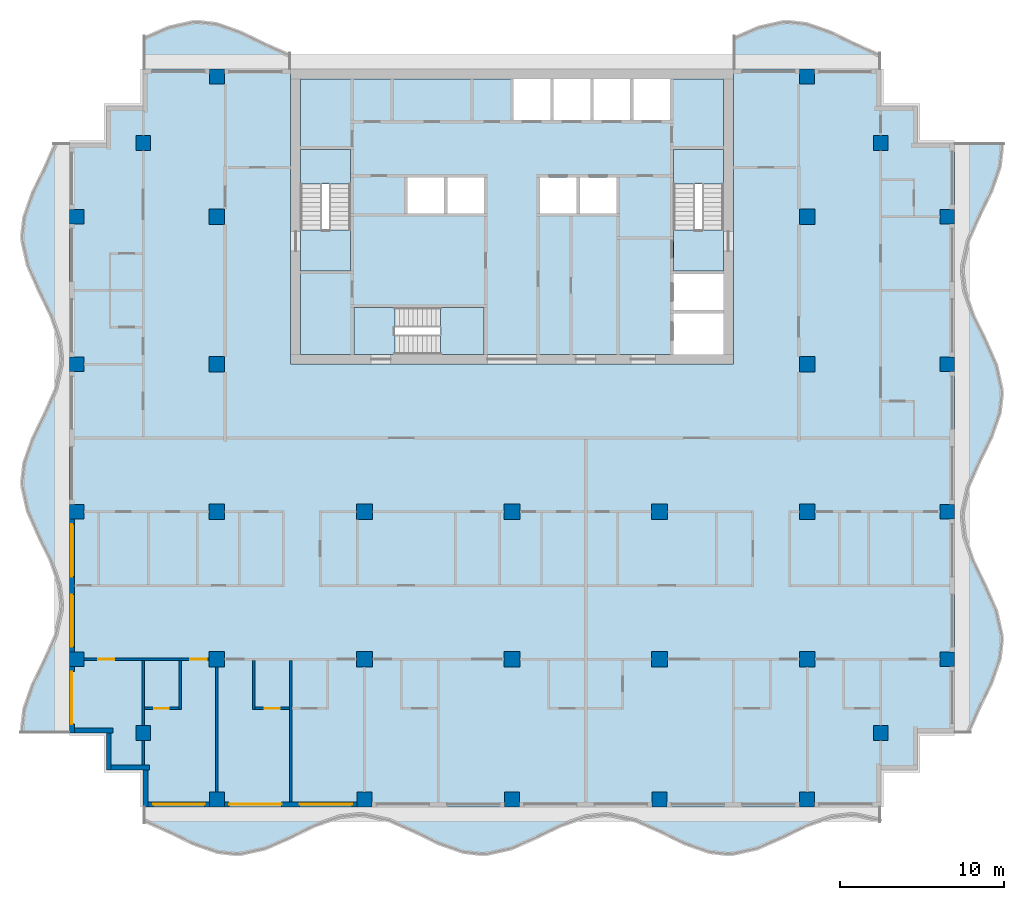
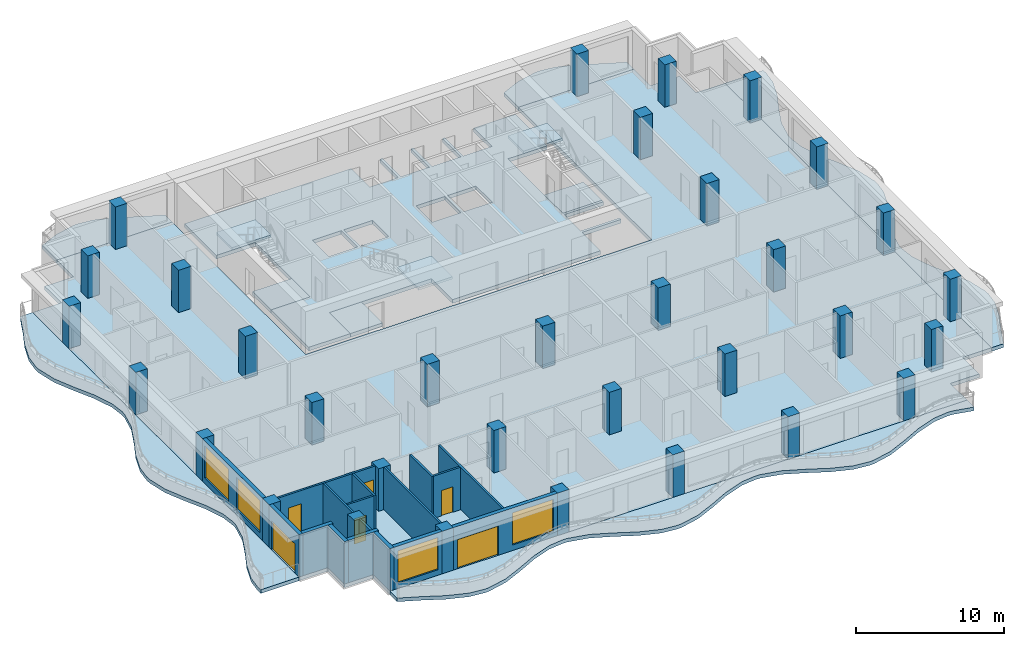
# One storey, part 1 of 11: 33 columns, 17 walls, 13 slabs, 6 doors, 4 windows, 10 openings, 3 elements without a shape of their own.
"""IFC4 building model written with IfcOpenShell, lengths in metres."""

from ifc_helpers import new_model, si_unit, direction, frame, frame_2d, origin, origin_2d, place, context, subcontext, project, spatial, polyline, rectangle, outline, extrude, material, layer, layer_set, material_profile, profile_set, type_object, element, fill, aggregate, save


model = new_model("IFC4")

# Units and contexts
model_context = context("Model", 3, precision=1e-05, world=origin(), true_north=direction((0.0, 1.0)))
body_context = subcontext(model_context, "Body", "Model", "MODEL_VIEW")
ifc_project = project(units=[si_unit("LENGTHUNIT", "METRE"), si_unit("AREAUNIT", "SQUARE_METRE"), si_unit("VOLUMEUNIT", "CUBIC_METRE"), si_unit("PLANEANGLEUNIT", "RADIAN"), si_unit("MASSUNIT", "GRAM", prefix="KILO")], contexts=[model_context])

# Site, building, storey
site_placement = place(None, origin())
site = spatial("IfcSite", under=ifc_project, at=site_placement, CompositionType="ELEMENT")
building_placement = place(site_placement, origin())
building = spatial("IfcBuilding", under=site, at=building_placement, Name="Orbiselva Terraces", CompositionType="ELEMENT")
storey_placement = place(building_placement, frame((0.0, 0.0, 269.2)))
storey = spatial("IfcBuildingStorey", under=building, at=storey_placement, Name="L68", CompositionType="ELEMENT", Elevation=269.2)

# Columns
ifc_material_1 = material(Name="Concrete C50/60", Category="concrete")
ifc_material_profile_1 = material_profile(ifc_material_1, rectangle(XDim=0.95, YDim=0.95, at=origin_2d()), Name="RC 950x950")
ifc_profile_set_1 = profile_set([ifc_material_profile_1], Name="Concrete C50/60")
column_type_1 = type_object("IfcColumnType", Name="COLUMN RC 950x950", PredefinedType="COLUMN", material=ifc_profile_set_1)
for number, where, z_axis, x_axis, name in (
    (1, (-18.0, -13.5, 0.0), (0.0, 0.0, 1.0), (1.0, 0.0, 0.0), "Column L68-01"),
    (2, (-18.0, -4.5, 0.0), (0.0, 0.0, 1.0), (1.0, 0.0, 0.0), "Column L68-03"),
    (3, (-18.0, 13.5, 0.0), (0.0, 0.0, 1.0), (1.0, 0.0, 0.0), "Column L68-04"),
    (4, (-18.0, 4.5, 0.0), (0.0, 0.0, 1.0), (1.0, 0.0, 0.0), "Column L68-06"),
    (5, (-9.0, -13.5, 0.0), (0.0, 0.0, 1.0), (1.0, 0.0, 0.0), "Column L68-13"),
    (6, (-9.0, -4.5, 0.0), (0.0, 0.0, 1.0), (1.0, 0.0, 0.0), "Column L68-15"),
    (7, (0.0, -13.5, 0.0), (0.0, 0.0, 1.0), (1.0, 0.0, 0.0), "Column L68-16"),
    (8, (0.0, -4.5, 0.0), (0.0, 0.0, 1.0), (1.0, 0.0, 0.0), "Column L68-18"),
    (9, (18.0, -13.5, 0.0), (0.0, 0.0, 1.0), (1.0, 0.0, 0.0), "Column L68-19"),
    (10, (18.0, -4.5, 0.0), (0.0, 0.0, 1.0), (1.0, 0.0, 0.0), "Column L68-21"),
    (11, (18.0, 13.5, 0.0), (0.0, 0.0, 1.0), (1.0, 0.0, 0.0), "Column L68-22"),
    (12, (18.0, 4.5, 0.0), (0.0, 0.0, 1.0), (1.0, 0.0, 0.0), "Column L68-24"),
    (13, (9.0, -13.5, 0.0), (0.0, 0.0, 1.0), (1.0, 0.0, 0.0), "Column L68-31"),
    (14, (9.0, -4.5, 0.0), (0.0, 0.0, 1.0), (1.0, 0.0, 0.0), "Column L68-33"),
):
    element("IfcColumn", number, at=place(storey_placement, frame(where, z_axis=z_axis, x_axis=x_axis)), inside=storey, type_object=column_type_1, Name=name, PredefinedType="COLUMN", context=body_context, shape_type="SweptSolid", body=[
        extrude(rectangle(XDim=0.95, YDim=0.95, at=origin_2d()), origin(), (0.0, 0.0, 1.0), 3.5),
    ])
ifc_material_profile_2 = material_profile(ifc_material_1, rectangle(XDim=0.9, YDim=0.9, at=origin_2d()), Name="RC 900x900")
ifc_profile_set_2 = profile_set([ifc_material_profile_2], Name="Concrete C50/60")
column_type_2 = type_object("IfcColumnType", Name="PERIMETER COLUMN RC 900x900", PredefinedType="COLUMN", material=ifc_profile_set_2)
for number, where, z_axis, x_axis, name in (
    (15, (-18.0, -22.05, 0.0), (0.0, 0.0, 1.0), (1.0, 0.0, 0.0), "Column L68-02"),
    (16, (-18.0, 22.05, 0.0), (0.0, 0.0, 1.0), (1.0, 0.0, 0.0), "Column L68-05"),
    (17, (-26.55, -13.5, 0.0), (0.0, 0.0, 1.0), (1.0, 0.0, 0.0), "Column L68-07"),
    (18, (-22.5, -18.0, 0.0), (0.0, 0.0, 1.0), (1.0, 0.0, 0.0), "Column L68-08"),
    (19, (-26.55, -4.5, 0.0), (0.0, 0.0, 1.0), (1.0, 0.0, 0.0), "Column L68-09"),
    (20, (-26.55, 13.5, 0.0), (0.0, 0.0, 1.0), (1.0, 0.0, 0.0), "Column L68-10"),
    (21, (-22.5, 18.0, 0.0), (0.0, 0.0, 1.0), (1.0, 0.0, 0.0), "Column L68-11"),
    (22, (-26.55, 4.5, 0.0), (0.0, 0.0, 1.0), (1.0, 0.0, 0.0), "Column L68-12"),
    (23, (-9.0, -22.05, 0.0), (0.0, 0.0, 1.0), (1.0, 0.0, 0.0), "Column L68-14"),
    (24, (0.0, -22.05, 0.0), (0.0, 0.0, 1.0), (1.0, 0.0, 0.0), "Column L68-17"),
    (25, (18.0, -22.05, 0.0), (0.0, 0.0, 1.0), (1.0, 0.0, 0.0), "Column L68-20"),
    (26, (18.0, 22.05, 0.0), (0.0, 0.0, 1.0), (1.0, 0.0, 0.0), "Column L68-23"),
    (27, (26.55, -13.5, 0.0), (0.0, 0.0, 1.0), (1.0, 0.0, 0.0), "Column L68-25"),
    (28, (22.5, -18.0, 0.0), (0.0, 0.0, 1.0), (1.0, 0.0, 0.0), "Column L68-26"),
    (29, (26.55, -4.5, 0.0), (0.0, 0.0, 1.0), (1.0, 0.0, 0.0), "Column L68-27"),
    (30, (26.55, 13.5, 0.0), (0.0, 0.0, 1.0), (1.0, 0.0, 0.0), "Column L68-28"),
    (31, (22.5, 18.0, 0.0), (0.0, 0.0, 1.0), (1.0, 0.0, 0.0), "Column L68-29"),
    (32, (26.55, 4.5, 0.0), (0.0, 0.0, 1.0), (1.0, 0.0, 0.0), "Column L68-30"),
    (33, (9.0, -22.05, 0.0), (0.0, 0.0, 1.0), (1.0, 0.0, 0.0), "Column L68-32"),
):
    element("IfcColumn", number, at=place(storey_placement, frame(where, z_axis=z_axis, x_axis=x_axis)), inside=storey, type_object=column_type_2, Name=name, PredefinedType="COLUMN", context=body_context, shape_type="SweptSolid", body=[
        extrude(rectangle(XDim=0.9, YDim=0.9, at=origin_2d()), origin(), (0.0, 0.0, 1.0), 3.5),
    ])

# Slabs
ifc_material_2 = material(Name="Concrete C40/50", Category="concrete")
ifc_layer_1 = layer(ifc_material_2, 0.3)
ifc_layer_set_1 = layer_set([ifc_layer_1], Name="Concrete C40/50")
slab_type_1 = type_object("IfcSlabType", Name="CORE-SLAB-FLOOR-300", PredefinedType="FLOOR", material=ifc_layer_set_1)
slab_1_placement = place(storey_placement, frame((0.0, 0.0, -0.3)))
element("IfcSlab", 34, at=slab_1_placement, inside=storey, type_object=slab_type_1, Name="L68 S1 floor landing", PredefinedType="FLOOR", context=body_context, shape_type="SweptSolid", body=[
    extrude(outline(polyline([(-12.9, 12.7), (-9.85, 12.7), (-9.85, 10.2), (-12.9, 10.2), (-12.9, 12.7)])), origin(), (0.0, 0.0, 1.0), 0.3),
])
slab_2_placement = place(storey_placement, frame((0.0, 0.0, -0.3)))
element("IfcSlab", 35, at=slab_2_placement, inside=storey, type_object=slab_type_1, Name="L68 S2 floor landing", PredefinedType="FLOOR", context=body_context, shape_type="SweptSolid", body=[
    extrude(outline(polyline([(12.9, 12.7), (12.9, 10.2), (9.85, 10.2), (9.85, 12.7), (12.9, 12.7)])), origin(), (0.0, 0.0, 1.0), 0.3),
])
slab_3_placement = place(storey_placement, frame((0.0, 0.0, -0.3)))
element("IfcSlab", 36, at=slab_3_placement, inside=storey, type_object=slab_type_1, Name="L68 S3 floor landing", PredefinedType="FLOOR", context=body_context, shape_type="SweptSolid", body=[
    extrude(outline(polyline([(-7.15, 5.1), (-9.65, 5.1), (-9.65, 7.95), (-7.15, 7.95), (-7.15, 5.1)])), origin(), (0.0, 0.0, 1.0), 0.3),
])
slab_4_placement = place(storey_placement, frame((0.0, 0.0, -0.3)))
element("IfcSlab", 37, at=slab_4_placement, inside=storey, type_object=slab_type_1, Name="L68 core floor slab 1", PredefinedType="FLOOR", context=body_context, shape_type="SweptSolid", body=[
    extrude(outline(polyline([(-1.7, 5.1), (-1.7, 7.95), (-9.65, 7.95), (-9.65, 5.1), (-12.9, 5.1), (-12.9, 10.2), (-9.85, 10.2), (-9.85, 17.6), (-12.9, 17.6), (-12.9, 21.9), (0.1, 21.9), (0.1, 19.4), (2.3375, 19.4), (2.3375, 21.9), (2.5375, 21.9), (2.5375, 19.4), (4.775, 19.4), (4.775, 21.9), (4.975, 21.9), (4.975, 19.4), (7.2125, 19.4), (7.2125, 21.9), (7.4125, 21.9), (7.4125, 19.4), (9.65, 19.4), (9.65, 21.9), (12.9, 21.9), (12.9, 17.6), (9.85, 17.6), (9.85, 10.2), (12.9, 10.2), (12.9, 10.0), (9.85, 10.0), (9.85, 7.8), (12.9, 7.8), (12.9, 7.6), (9.85, 7.6), (9.85, 5.1), (-1.7, 5.1)]), holes=[polyline([(-4.1375, 13.7), (-4.1375, 15.9), (-6.375, 15.9), (-6.375, 13.7), (-4.1375, 13.7)]), polyline([(-1.7, 13.7), (-1.7, 15.9), (-3.9375, 15.9), (-3.9375, 13.7), (-1.7, 13.7)]), polyline([(3.9375, 15.9), (1.7, 15.9), (1.7, 13.7), (3.9375, 13.7), (3.9375, 15.9)]), polyline([(6.375, 13.7), (6.375, 15.9), (4.1375, 15.9), (4.1375, 13.7), (6.375, 13.7)])]), origin(), (0.0, 0.0, 1.0), 0.3),
])

# Stair, slab
stair_type_1 = type_object("IfcStairType", Name="CORE-STAIR-1300", PredefinedType="HALF_TURN_STAIR", material=ifc_material_2)
stair_1_placement = place(storey_placement, origin())
stair_1 = element("IfcStair", 38, at=stair_1_placement, inside=storey, type_object=stair_type_1, Name="L68 Exit Stair S1", PredefinedType="HALF_TURN_STAIR")
ifc_layer_2 = layer(ifc_material_2, 0.2)
ifc_layer_set_2 = layer_set([ifc_layer_2], Name="Concrete C40/50")
slab_type_2 = type_object("IfcSlabType", Name="CORE-STAIR-LANDING-200", PredefinedType="LANDING", material=ifc_layer_set_2)
slab_5_placement = place(storey_placement, frame((0.0, 0.0, 1.7)))
slab_5 = element("IfcSlab", 39, at=slab_5_placement, type_object=slab_type_2, Name="S1 landing 1", PredefinedType="LANDING", context=body_context, shape_type="SweptSolid", body=[
    extrude(outline(polyline([(-9.85, 15.5), (-9.85, 17.6), (-12.9, 17.6), (-12.9, 15.5), (-9.85, 15.5)])), origin(), (0.0, 0.0, 1.0), 0.2),
])
aggregate(stair_1, [slab_5])

stair_2_placement = place(storey_placement, origin())
stair_2 = element("IfcStair", 40, at=stair_2_placement, inside=storey, type_object=stair_type_1, Name="L68 Exit Stair S2", PredefinedType="HALF_TURN_STAIR")
slab_6_placement = place(storey_placement, frame((0.0, 0.0, 1.7)))
slab_6 = element("IfcSlab", 41, at=slab_6_placement, type_object=slab_type_2, Name="S2 landing 1", PredefinedType="LANDING", context=body_context, shape_type="SweptSolid", body=[
    extrude(outline(polyline([(12.9, 15.5), (12.9, 17.6), (9.85, 17.6), (9.85, 15.5), (12.9, 15.5)])), origin(), (0.0, 0.0, 1.0), 0.2),
])
aggregate(stair_2, [slab_6])

stair_type_2 = type_object("IfcStairType", Name="CORE-STAIR-1200", PredefinedType="HALF_TURN_STAIR", material=ifc_material_2)
stair_3_placement = place(storey_placement, origin())
stair_3 = element("IfcStair", 42, at=stair_3_placement, inside=storey, type_object=stair_type_2, Name="L68 Exit Stair S3", PredefinedType="HALF_TURN_STAIR")
slab_7_placement = place(storey_placement, frame((0.0, 0.0, 1.7)))
slab_7 = element("IfcSlab", 43, at=slab_7_placement, type_object=slab_type_2, Name="S3 landing 1", PredefinedType="LANDING", context=body_context, shape_type="SweptSolid", body=[
    extrude(outline(polyline([(-4.35, 5.1), (-1.7, 5.1), (-1.7, 7.95), (-4.35, 7.95), (-4.35, 5.1)])), origin(), (0.0, 0.0, 1.0), 0.2),
])
aggregate(stair_3, [slab_7])

# Slabs
ifc_layer_3 = layer(ifc_material_1, 0.3)
ifc_layer_set_3 = layer_set([ifc_layer_3], Name="Concrete C50/60")
slab_type_3 = type_object("IfcSlabType", Name="ENV-BALCONY-SLAB-300", PredefinedType="FLOOR", material=ifc_layer_set_3)
slab_8_placement = place(storey_placement, frame((0.0, 0.0, -0.3)))
element("IfcSlab", 44, at=slab_8_placement, inside=storey, type_object=slab_type_3, Name="Balcony slab L68 S", PredefinedType="FLOOR", context=body_context, shape_type="SweptSolid", body=[
    extrude(outline(polyline([(-22.5, -23.451472), (-21.0, -24.112279), (-19.5, -24.844789), (-18.0, -25.369208), (-16.875, -25.5), (-16.5, -25.485226), (-15.0, -25.148528), (-13.5, -24.487721), (-12.0, -23.755211), (-10.5, -23.230792), (-9.375, -23.1), (-9.0, -23.114774), (-7.5, -23.451472), (-6.0, -24.112279), (-4.5, -24.844789), (-3.0, -25.369208), (-1.875, -25.5), (-1.5, -25.485226), (0.0, -25.148528), (1.5, -24.487721), (3.0, -23.755211), (4.5, -23.230792), (5.625, -23.1), (6.0, -23.114774), (7.5, -23.451472), (9.0, -24.112279), (10.5, -24.844789), (12.0, -25.369208), (13.125, -25.5), (13.5, -25.485226), (15.0, -25.148528), (16.5, -24.487721), (18.0, -23.755211), (19.5, -23.230792), (20.625, -23.1), (21.0, -23.114774), (22.5, -23.451472), (22.5, -22.5), (-22.5, -22.5), (-22.5, -23.451472)])), origin(), (0.0, 0.0, 1.0), 0.3),
])
slab_9_placement = place(storey_placement, frame((0.0, 0.0, -0.3)))
element("IfcSlab", 45, at=slab_9_placement, inside=storey, type_object=slab_type_3, Name="Balcony slab L68 E", PredefinedType="FLOOR", context=body_context, shape_type="SweptSolid", body=[
    extrude(outline(polyline([(27.951472, -18.0), (28.612279, -16.5), (29.344789, -15.0), (29.869208, -13.5), (30.0, -12.375), (29.985226, -12.0), (29.648528, -10.5), (28.987721, -9.0), (28.255211, -7.5), (27.730792, -6.0), (27.6, -4.875), (27.614774, -4.5), (27.951472, -3.0), (28.612279, -1.5), (29.344789, 0.0), (29.869208, 1.5), (30.0, 2.625), (29.985226, 3.0), (29.648528, 4.5), (28.987721, 6.0), (28.255211, 7.5), (27.730792, 9.0), (27.6, 10.125), (27.614774, 10.5), (27.951472, 12.0), (28.612279, 13.5), (29.344789, 15.0), (29.869208, 16.5), (30.0, 17.625), (29.985226, 18.0), (27.0, 18.0), (27.0, -18.0), (27.951472, -18.0)])), origin(), (0.0, 0.0, 1.0), 0.3),
])
slab_10_placement = place(storey_placement, frame((0.0, 0.0, -0.3)))
element("IfcSlab", 46, at=slab_10_placement, inside=storey, type_object=slab_type_3, Name="Balcony slab L68 NE", PredefinedType="FLOOR", context=body_context, shape_type="SweptSolid", body=[
    extrude(outline(polyline([(22.5, 23.451472), (21.0, 24.112279), (19.5, 24.844789), (18.0, 25.369208), (16.875, 25.5), (16.5, 25.485226), (15.0, 25.148528), (13.5, 24.487721), (13.5, 22.5), (22.5, 22.5), (22.5, 23.451472)])), origin(), (0.0, 0.0, 1.0), 0.3),
])
slab_11_placement = place(storey_placement, frame((0.0, 0.0, -0.3)))
element("IfcSlab", 47, at=slab_11_placement, inside=storey, type_object=slab_type_3, Name="Balcony slab L68 NW", PredefinedType="FLOOR", context=body_context, shape_type="SweptSolid", body=[
    extrude(outline(polyline([(-13.5, 23.451472), (-15.0, 24.112279), (-16.5, 24.844789), (-18.0, 25.369208), (-19.125, 25.5), (-19.5, 25.485226), (-21.0, 25.148528), (-22.5, 24.487721), (-22.5, 22.5), (-13.5, 22.5), (-13.5, 23.451472)])), origin(), (0.0, 0.0, 1.0), 0.3),
])
slab_12_placement = place(storey_placement, frame((0.0, 0.0, -0.3)))
element("IfcSlab", 48, at=slab_12_placement, inside=storey, type_object=slab_type_3, Name="Balcony slab L68 W", PredefinedType="FLOOR", context=body_context, shape_type="SweptSolid", body=[
    extrude(outline(polyline([(-27.951472, 18.0), (-28.612279, 16.5), (-29.344789, 15.0), (-29.869208, 13.5), (-30.0, 12.375), (-29.985226, 12.0), (-29.648528, 10.5), (-28.987721, 9.0), (-28.255211, 7.5), (-27.730792, 6.0), (-27.6, 4.875), (-27.614774, 4.5), (-27.951472, 3.0), (-28.612279, 1.5), (-29.344789, 0.0), (-29.869208, -1.5), (-30.0, -2.625), (-29.985226, -3.0), (-29.648528, -4.5), (-28.987721, -6.0), (-28.255211, -7.5), (-27.730792, -9.0), (-27.6, -10.125), (-27.614774, -10.5), (-27.951472, -12.0), (-28.612279, -13.5), (-29.344789, -15.0), (-29.869208, -16.5), (-30.0, -17.625), (-29.985226, -18.0), (-27.0, -18.0), (-27.0, 18.0), (-27.951472, 18.0)])), origin(), (0.0, 0.0, 1.0), 0.3),
])
ifc_layer_4 = layer(ifc_material_1, 0.3)
ifc_layer_set_4 = layer_set([ifc_layer_4], Name="Concrete C50/60")
slab_type_4 = type_object("IfcSlabType", Name="FLOOR SLAB 300", PredefinedType="FLOOR", material=ifc_layer_set_4)
slab_13_placement = place(storey_placement, frame((0.0, 0.0, -0.3)))
element("IfcSlab", 49, at=slab_13_placement, inside=storey, type_object=slab_type_4, Name="Floor slab L68", PredefinedType="FLOOR", context=body_context, shape_type="SweptSolid", body=[
    extrude(outline(polyline([(22.5, 22.5), (22.5, 20.25), (24.75, 20.25), (24.75, 18.0), (27.0, 18.0), (27.0, -18.0), (24.75, -18.0), (24.75, -20.25), (22.5, -20.25), (22.5, -22.5), (-22.5, -22.5), (-22.5, -20.25), (-24.75, -20.25), (-24.75, -18.0), (-27.0, -18.0), (-27.0, 18.0), (-24.75, 18.0), (-24.75, 20.25), (-22.5, 20.25), (-22.5, 22.5), (-13.5, 22.5), (-13.5, 4.5), (13.5, 4.5), (13.5, 22.5), (22.5, 22.5)])), origin(), (0.0, 0.0, 1.0), 0.3),
])

# Wall, opening, window
ifc_material_3 = material(Name="Terracotta cladding on masonry backing", Category="masonry")
ifc_layer_5 = layer(ifc_material_3, 0.3)
ifc_layer_set_5 = layer_set([ifc_layer_5], Name="Terracotta cladding on masonry backing")
wall_type_1 = type_object("IfcWallType", Name="ENV-WALL-TERRACOTTA-300", PredefinedType="SOLIDWALL", material=ifc_layer_set_5)
wall_1_placement = place(storey_placement, frame((-18.45, -22.35, 0.0), z_axis=(0.0, 0.0, 1.0), x_axis=(-1.0, 0.0, 0.0)))
wall_1 = element("IfcWall", 50, at=wall_1_placement, inside=storey, type_object=wall_type_1, Name="Facade wall L68 S", PredefinedType="SOLIDWALL", context=body_context, shape_type="SweptSolid", body=[
    extrude(rectangle(XDim=3.75, YDim=0.3, at=frame_2d((1.875, 0.0))), origin(), (0.0, 0.0, 1.0), 3.5),
])
opening_1_placement = place(wall_1_placement, frame((0.3, 0.0, 0.45)))
opening_1 = element("IfcOpeningElement", 51, at=opening_1_placement, cuts=wall_1, Name="Opening WN16", PredefinedType="OPENING", context=body_context, shape_type="SweptSolid", body=[
    extrude(rectangle(XDim=3.15, YDim=2.65, at=frame_2d((1.575, 1.325))), frame((0.0, 0.16, 0.0), z_axis=(0.0, -1.0, 0.0), x_axis=(1.0, 0.0, 0.0)), (0.0, 0.0, 1.0), 0.32),
])
ifc_material_4 = material(Name="Clear low-e glazing in aluminium frame", Category="aluminium")
window_type_1 = type_object("IfcWindowType", Name="WINDOW 3150 X 2650 S450", PartitioningType="TRIPLE_PANEL_VERTICAL", PredefinedType="WINDOW", material=ifc_material_4)
window_1_placement = place(opening_1_placement, origin())
window_1 = element("IfcWindow", 52, at=window_1_placement, inside=storey, type_object=window_type_1, Name="Window L68 S", OverallHeight=2.65, OverallWidth=3.15, PartitioningType="SINGLE_PANEL", PredefinedType="WINDOW", context=body_context, shape_type="SweptSolid", body=[
    extrude(rectangle(XDim=3.15, YDim=2.65, at=frame_2d((1.575, 1.325))), frame((0.0, 0.03, 0.0), z_axis=(0.0, -1.0, 0.0), x_axis=(1.0, 0.0, 0.0)), (0.0, 0.0, 1.0), 0.06),
])
fill(opening_1, window_1)

# Wall, openings, door, window
wall_2_placement = place(storey_placement, frame((-9.45, -22.35, 0.0), z_axis=(0.0, 0.0, 1.0), x_axis=(-1.0, 0.0, 0.0)))
wall_2 = element("IfcWall", 53, at=wall_2_placement, inside=storey, type_object=wall_type_1, Name="Facade wall L68 S", PredefinedType="SOLIDWALL", context=body_context, shape_type="SweptSolid", body=[
    extrude(rectangle(XDim=8.1, YDim=0.3, at=frame_2d((4.05, 0.0))), origin(), (0.0, 0.0, 1.0), 3.5),
])
opening_2_placement = place(wall_2_placement, frame((4.6, 0.0, 0.0)))
opening_2 = element("IfcOpeningElement", 54, at=opening_2_placement, cuts=wall_2, Name="Opening Z5-C-E01", PredefinedType="OPENING", context=body_context, shape_type="SweptSolid", body=[
    extrude(rectangle(XDim=3.2, YDim=2.4, at=frame_2d((1.6, 1.2))), frame((0.0, 0.16, 0.0), z_axis=(0.0, -1.0, 0.0), x_axis=(1.0, 0.0, 0.0)), (0.0, 0.0, 1.0), 0.32),
])
opening_3_placement = place(wall_2_placement, frame((0.3, 0.0, 0.45)))
opening_3 = element("IfcOpeningElement", 55, at=opening_3_placement, cuts=wall_2, Name="Opening WN17", PredefinedType="OPENING", context=body_context, shape_type="SweptSolid", body=[
    extrude(rectangle(XDim=3.2, YDim=2.65, at=frame_2d((1.6, 1.325))), frame((0.0, 0.16, 0.0), z_axis=(0.0, -1.0, 0.0), x_axis=(1.0, 0.0, 0.0)), (0.0, 0.0, 1.0), 0.32),
])
door_type_1 = type_object("IfcDoorType", Name="BALCONY DOOR 3200 X 2400", OperationType="DOUBLE_DOOR_SLIDING", PredefinedType="DOOR", material=ifc_material_4)
door_1_placement = place(opening_2_placement, origin())
door_1 = element("IfcDoor", 56, at=door_1_placement, inside=storey, type_object=door_type_1, Name="Z5-C-E01", OperationType="SINGLE_SWING_LEFT", OverallHeight=2.4, OverallWidth=3.2, PredefinedType="DOOR", context=body_context, shape_type="SweptSolid", body=[
    extrude(rectangle(XDim=3.2, YDim=2.4, at=frame_2d((1.6, 1.2))), frame((0.0, 0.025, 0.0), z_axis=(0.0, -1.0, 0.0), x_axis=(1.0, 0.0, 0.0)), (0.0, 0.0, 1.0), 0.05),
])
fill(opening_2, door_1)
window_type_2 = type_object("IfcWindowType", Name="WINDOW 3200 X 2650 S450", PartitioningType="TRIPLE_PANEL_VERTICAL", PredefinedType="WINDOW", material=ifc_material_4)
window_2_placement = place(opening_3_placement, origin())
window_2 = element("IfcWindow", 57, at=window_2_placement, inside=storey, type_object=window_type_2, Name="Window L68 S", OverallHeight=2.65, OverallWidth=3.2, PartitioningType="SINGLE_PANEL", PredefinedType="WINDOW", context=body_context, shape_type="SweptSolid", body=[
    extrude(rectangle(XDim=3.2, YDim=2.65, at=frame_2d((1.6, 1.325))), frame((0.0, 0.03, 0.0), z_axis=(0.0, -1.0, 0.0), x_axis=(1.0, 0.0, 0.0)), (0.0, 0.0, 1.0), 0.06),
])
fill(opening_3, window_2)

# Wall, openings, windows
wall_3_placement = place(storey_placement, frame((-26.85, -13.05, 0.0), z_axis=(0.0, 0.0, 1.0), x_axis=(0.0, 1.0, 0.0)))
wall_3 = element("IfcWall", 58, at=wall_3_placement, inside=storey, type_object=wall_type_1, Name="Facade wall L68 W", PredefinedType="SOLIDWALL", context=body_context, shape_type="SweptSolid", body=[
    extrude(rectangle(XDim=8.1, YDim=0.3, at=frame_2d((4.05, 0.0))), origin(), (0.0, 0.0, 1.0), 3.5),
])
opening_4_placement = place(wall_3_placement, frame((4.6, 0.0, 0.45)))
opening_4 = element("IfcOpeningElement", 59, at=opening_4_placement, cuts=wall_3, Name="Opening WN17", PredefinedType="OPENING", context=body_context, shape_type="SweptSolid", body=[
    extrude(rectangle(XDim=3.2, YDim=2.65, at=frame_2d((1.6, 1.325))), frame((0.0, 0.16, 0.0), z_axis=(0.0, -1.0, 0.0), x_axis=(1.0, 0.0, 0.0)), (0.0, 0.0, 1.0), 0.32),
])
opening_5_placement = place(wall_3_placement, frame((0.3, 0.0, 0.45)))
opening_5 = element("IfcOpeningElement", 60, at=opening_5_placement, cuts=wall_3, Name="Opening WN17", PredefinedType="OPENING", context=body_context, shape_type="SweptSolid", body=[
    extrude(rectangle(XDim=3.2, YDim=2.65, at=frame_2d((1.6, 1.325))), frame((0.0, 0.16, 0.0), z_axis=(0.0, -1.0, 0.0), x_axis=(1.0, 0.0, 0.0)), (0.0, 0.0, 1.0), 0.32),
])
window_3_placement = place(opening_4_placement, origin())
window_3 = element("IfcWindow", 61, at=window_3_placement, inside=storey, type_object=window_type_2, Name="Window L68 W", OverallHeight=2.65, OverallWidth=3.2, PartitioningType="SINGLE_PANEL", PredefinedType="WINDOW", context=body_context, shape_type="SweptSolid", body=[
    extrude(rectangle(XDim=3.2, YDim=2.65, at=frame_2d((1.6, 1.325))), frame((0.0, 0.03, 0.0), z_axis=(0.0, -1.0, 0.0), x_axis=(1.0, 0.0, 0.0)), (0.0, 0.0, 1.0), 0.06),
])
fill(opening_4, window_3)
window_4_placement = place(opening_5_placement, origin())
window_4 = element("IfcWindow", 62, at=window_4_placement, inside=storey, type_object=window_type_2, Name="Window L68 W", OverallHeight=2.65, OverallWidth=3.2, PartitioningType="SINGLE_PANEL", PredefinedType="WINDOW", context=body_context, shape_type="SweptSolid", body=[
    extrude(rectangle(XDim=3.2, YDim=2.65, at=frame_2d((1.6, 1.325))), frame((0.0, 0.03, 0.0), z_axis=(0.0, -1.0, 0.0), x_axis=(1.0, 0.0, 0.0)), (0.0, 0.0, 1.0), 0.06),
])
fill(opening_5, window_4)

# Wall, opening, door
wall_4_placement = place(storey_placement, frame((-26.85, -18.0, 0.0), z_axis=(0.0, 0.0, 1.0), x_axis=(0.0, 1.0, 0.0)))
wall_4 = element("IfcWall", 63, at=wall_4_placement, inside=storey, type_object=wall_type_1, Name="Facade wall L68 W", PredefinedType="SOLIDWALL", context=body_context, shape_type="SweptSolid", body=[
    extrude(rectangle(XDim=4.05, YDim=0.3, at=frame_2d((2.025, 0.0))), origin(), (0.0, 0.0, 1.0), 3.5),
])
opening_6_placement = place(wall_4_placement, frame((0.55, 0.0, 0.0)))
opening_6 = element("IfcOpeningElement", 64, at=opening_6_placement, cuts=wall_4, Name="Opening Z5-C-E18", PredefinedType="OPENING", context=body_context, shape_type="SweptSolid", body=[
    extrude(rectangle(XDim=3.2, YDim=2.4, at=frame_2d((1.6, 1.2))), frame((0.0, 0.16, 0.0), z_axis=(0.0, -1.0, 0.0), x_axis=(1.0, 0.0, 0.0)), (0.0, 0.0, 1.0), 0.32),
])
door_2_placement = place(opening_6_placement, origin())
door_2 = element("IfcDoor", 65, at=door_2_placement, inside=storey, type_object=door_type_1, Name="Z5-C-E18", OperationType="SINGLE_SWING_LEFT", OverallHeight=2.4, OverallWidth=3.2, PredefinedType="DOOR", context=body_context, shape_type="SweptSolid", body=[
    extrude(rectangle(XDim=3.2, YDim=2.4, at=frame_2d((1.6, 1.2))), frame((0.0, 0.025, 0.0), z_axis=(0.0, -1.0, 0.0), x_axis=(1.0, 0.0, 0.0)), (0.0, 0.0, 1.0), 0.05),
])
fill(opening_6, door_2)

# Walls
wall_5_placement = place(storey_placement, frame((-24.35, -17.85, 0.0), z_axis=(0.0, 0.0, 1.0), x_axis=(-1.0, 0.0, 0.0)))
element("IfcWall", 66, at=wall_5_placement, inside=storey, type_object=wall_type_1, Name="Facade wall L68 STEP", PredefinedType="SOLIDWALL", context=body_context, shape_type="SweptSolid", body=[
    extrude(rectangle(XDim=2.35, YDim=0.3, at=frame_2d((1.175, 0.0))), origin(), (0.0, 0.0, 1.0), 3.5),
])
wall_6_placement = place(storey_placement, frame((-24.6, -20.25, 0.0), z_axis=(0.0, 0.0, 1.0), x_axis=(0.0, 1.0, 0.0)))
element("IfcWall", 67, at=wall_6_placement, inside=storey, type_object=wall_type_1, Name="Facade wall L68 STEP", PredefinedType="SOLIDWALL", context=body_context, shape_type="SweptSolid", body=[
    extrude(rectangle(XDim=2.25, YDim=0.3, at=frame_2d((1.125, 0.0))), origin(), (0.0, 0.0, 1.0), 3.5),
])
wall_7_placement = place(storey_placement, frame((-22.1, -20.1, 0.0), z_axis=(0.0, 0.0, 1.0), x_axis=(-1.0, 0.0, 0.0)))
element("IfcWall", 68, at=wall_7_placement, inside=storey, type_object=wall_type_1, Name="Facade wall L68 STEP", PredefinedType="SOLIDWALL", context=body_context, shape_type="SweptSolid", body=[
    extrude(rectangle(XDim=2.35, YDim=0.3, at=frame_2d((1.175, 0.0))), origin(), (0.0, 0.0, 1.0), 3.5),
])
wall_8_placement = place(storey_placement, frame((-22.35, -22.5, 0.0), z_axis=(0.0, 0.0, 1.0), x_axis=(0.0, 1.0, 0.0)))
element("IfcWall", 69, at=wall_8_placement, inside=storey, type_object=wall_type_1, Name="Facade wall L68 STEP", PredefinedType="SOLIDWALL", context=body_context, shape_type="SweptSolid", body=[
    extrude(rectangle(XDim=2.25, YDim=0.3, at=frame_2d((1.125, 0.0))), origin(), (0.0, 0.0, 1.0), 3.5),
])

# Wall, opening, door
ifc_material_5 = material(Name="Plasterboard on steel stud partition", Category="steel")
ifc_layer_6 = layer(ifc_material_5, 0.15)
ifc_layer_set_6 = layer_set([ifc_layer_6], Name="Plasterboard on steel stud partition")
wall_type_2 = type_object("IfcWallType", Name="UNIT-PARTITION-150", PredefinedType="PARTITIONING", material=ifc_layer_set_6)
wall_9_placement = place(storey_placement, frame((-22.425, -16.5, 0.0), z_axis=(0.0, 0.0, 1.0), x_axis=(1.0, 0.0, 0.0)))
wall_9 = element("IfcWall", 70, at=wall_9_placement, inside=storey, type_object=wall_type_2, Name="PARTITION L68-001", PredefinedType="PARTITIONING", context=body_context, shape_type="SweptSolid", body=[
    extrude(rectangle(XDim=2.1, YDim=0.15, at=frame_2d((1.05, 0.0))), origin(), (0.0, 0.0, 1.0), 3.5),
])
opening_7_placement = place(wall_9_placement, frame((0.6, 0.0, 0.0)))
opening_7 = element("IfcOpeningElement", 71, at=opening_7_placement, cuts=wall_9, Name="Opening Z5-C-35", PredefinedType="OPENING", context=body_context, shape_type="SweptSolid", body=[
    extrude(rectangle(XDim=0.9, YDim=2.1, at=frame_2d((0.45, 1.05))), frame((0.0, 0.085, 0.0), z_axis=(0.0, -1.0, 0.0), x_axis=(1.0, 0.0, 0.0)), (0.0, 0.0, 1.0), 0.17),
])
ifc_material_6 = material(Name="Painted timber door leaf", Category="wood")
door_type_2 = type_object("IfcDoorType", Name="BATH DOOR 900", OperationType="NOTDEFINED", PredefinedType="DOOR", material=ifc_material_6)
door_3_placement = place(opening_7_placement, origin())
door_3 = element("IfcDoor", 72, at=door_3_placement, inside=storey, type_object=door_type_2, Name="Z5-C-35", OperationType="SINGLE_SWING_LEFT", OverallHeight=2.1, OverallWidth=0.9, PredefinedType="DOOR", context=body_context, shape_type="SweptSolid", body=[
    extrude(rectangle(XDim=0.9, YDim=2.1, at=frame_2d((0.45, 1.05))), frame((0.0, 0.025, 0.0), z_axis=(0.0, -1.0, 0.0), x_axis=(1.0, 0.0, 0.0)), (0.0, 0.0, 1.0), 0.05),
])
fill(opening_7, door_3)

wall_10_placement = place(storey_placement, frame((-15.675, -16.5, 0.0), z_axis=(0.0, 0.0, 1.0), x_axis=(1.0, 0.0, 0.0)))
wall_10 = element("IfcWall", 73, at=wall_10_placement, inside=storey, type_object=wall_type_2, Name="PARTITION L68-002", PredefinedType="PARTITIONING", context=body_context, shape_type="SweptSolid", body=[
    extrude(rectangle(XDim=2.1, YDim=0.15, at=frame_2d((1.05, 0.0))), origin(), (0.0, 0.0, 1.0), 3.5),
])
opening_8_placement = place(wall_10_placement, frame((0.6, 0.0, 0.0)))
opening_8 = element("IfcOpeningElement", 74, at=opening_8_placement, cuts=wall_10, Name="Opening Z5-C-33", PredefinedType="OPENING", context=body_context, shape_type="SweptSolid", body=[
    extrude(rectangle(XDim=0.9, YDim=2.1, at=frame_2d((0.45, 1.05))), frame((0.0, 0.085, 0.0), z_axis=(0.0, -1.0, 0.0), x_axis=(1.0, 0.0, 0.0)), (0.0, 0.0, 1.0), 0.17),
])
door_4_placement = place(opening_8_placement, origin())
door_4 = element("IfcDoor", 75, at=door_4_placement, inside=storey, type_object=door_type_2, Name="Z5-C-33", OperationType="SINGLE_SWING_LEFT", OverallHeight=2.1, OverallWidth=0.9, PredefinedType="DOOR", context=body_context, shape_type="SweptSolid", body=[
    extrude(rectangle(XDim=0.9, YDim=2.1, at=frame_2d((0.45, 1.05))), frame((0.0, 0.025, 0.0), z_axis=(0.0, -1.0, 0.0), x_axis=(1.0, 0.0, 0.0)), (0.0, 0.0, 1.0), 0.05),
])
fill(opening_8, door_4)

# Wall, openings, doors
wall_11_placement = place(storey_placement, frame((-18.475, -13.5, 0.0), z_axis=(0.0, 0.0, 1.0), x_axis=(-1.0, 0.0, 0.0)))
wall_11 = element("IfcWall", 76, at=wall_11_placement, inside=storey, type_object=wall_type_2, Name="PARTITION L68-009", PredefinedType="PARTITIONING", context=body_context, shape_type="SweptSolid", body=[
    extrude(rectangle(XDim=7.625, YDim=0.15, at=frame_2d((3.8125, 0.0))), origin(), (0.0, 0.0, 1.0), 3.5),
])
opening_9_placement = place(wall_11_placement, frame((0.15, 0.0, 0.0)))
opening_9 = element("IfcOpeningElement", 77, at=opening_9_placement, cuts=wall_11, Name="Opening Z5-C-34", PredefinedType="OPENING", context=body_context, shape_type="SweptSolid", body=[
    extrude(rectangle(XDim=1.0, YDim=2.4, at=frame_2d((0.5, 1.2))), frame((0.0, 0.085, 0.0), z_axis=(0.0, -1.0, 0.0), x_axis=(1.0, 0.0, 0.0)), (0.0, 0.0, 1.0), 0.17),
])
opening_10_placement = place(wall_11_placement, frame((5.775, 0.0, 0.0)))
opening_10 = element("IfcOpeningElement", 78, at=opening_10_placement, cuts=wall_11, Name="Opening Z5-C-36", PredefinedType="OPENING", context=body_context, shape_type="SweptSolid", body=[
    extrude(rectangle(XDim=1.0, YDim=2.4, at=frame_2d((0.5, 1.2))), frame((0.0, 0.085, 0.0), z_axis=(0.0, -1.0, 0.0), x_axis=(1.0, 0.0, 0.0)), (0.0, 0.0, 1.0), 0.17),
])
door_type_3 = type_object("IfcDoorType", Name="ROOM DOOR 1000", OperationType="NOTDEFINED", PredefinedType="DOOR", material=ifc_material_6)
door_5_placement = place(opening_9_placement, origin())
door_5 = element("IfcDoor", 79, at=door_5_placement, inside=storey, type_object=door_type_3, Name="Z5-C-34", OperationType="SINGLE_SWING_LEFT", OverallHeight=2.4, OverallWidth=1.0, PredefinedType="DOOR", context=body_context, shape_type="SweptSolid", body=[
    extrude(rectangle(XDim=1.0, YDim=2.4, at=frame_2d((0.5, 1.2))), frame((0.0, 0.025, 0.0), z_axis=(0.0, -1.0, 0.0), x_axis=(1.0, 0.0, 0.0)), (0.0, 0.0, 1.0), 0.05),
])
fill(opening_9, door_5)
door_6_placement = place(opening_10_placement, origin())
door_6 = element("IfcDoor", 80, at=door_6_placement, inside=storey, type_object=door_type_3, Name="Z5-C-36", OperationType="SINGLE_SWING_RIGHT", OverallHeight=2.4, OverallWidth=1.0, PredefinedType="DOOR", context=body_context, shape_type="SweptSolid", body=[
    extrude(rectangle(XDim=1.0, YDim=2.4, at=frame_2d((0.5, 1.2))), frame((0.0, 0.025, 0.0), z_axis=(0.0, -1.0, 0.0), x_axis=(1.0, 0.0, 0.0)), (0.0, 0.0, 1.0), 0.05),
])
fill(opening_10, door_6)

# Walls
wall_12_placement = place(storey_placement, frame((-22.5, -19.95, 0.0), z_axis=(0.0, 0.0, 1.0), x_axis=(0.0, 1.0, 0.0)))
element("IfcWall", 81, at=wall_12_placement, inside=storey, type_object=wall_type_2, Name="PARTITION L68-045", PredefinedType="PARTITIONING", context=body_context, shape_type="SweptSolid", body=[
    extrude(rectangle(XDim=1.5, YDim=0.15, at=frame_2d((0.75, 0.0))), origin(), (0.0, 0.0, 1.0), 3.5),
])
wall_13_placement = place(storey_placement, frame((-22.5, -17.55, 0.0), z_axis=(0.0, 0.0, 1.0), x_axis=(0.0, 1.0, 0.0)))
element("IfcWall", 82, at=wall_13_placement, inside=storey, type_object=wall_type_2, Name="PARTITION L68-046", PredefinedType="PARTITIONING", context=body_context, shape_type="SweptSolid", body=[
    extrude(rectangle(XDim=3.975, YDim=0.15, at=frame_2d((1.9875, 0.0))), origin(), (0.0, 0.0, 1.0), 3.5),
])
wall_14_placement = place(storey_placement, frame((-20.25, -16.575, 0.0), z_axis=(0.0, 0.0, 1.0), x_axis=(0.0, 1.0, 0.0)))
element("IfcWall", 83, at=wall_14_placement, inside=storey, type_object=wall_type_2, Name="PARTITION L68-050", PredefinedType="PARTITIONING", context=body_context, shape_type="SweptSolid", body=[
    extrude(rectangle(XDim=3.0, YDim=0.15, at=frame_2d((1.5, 0.0))), origin(), (0.0, 0.0, 1.0), 3.5),
])
wall_15_placement = place(storey_placement, frame((-18.0, -21.6, 0.0), z_axis=(0.0, 0.0, 1.0), x_axis=(0.0, 1.0, 0.0)))
element("IfcWall", 84, at=wall_15_placement, inside=storey, type_object=wall_type_2, Name="PARTITION L68-052", PredefinedType="PARTITIONING", context=body_context, shape_type="SweptSolid", body=[
    extrude(rectangle(XDim=7.625, YDim=0.15, at=frame_2d((3.8125, 0.0))), origin(), (0.0, 0.0, 1.0), 3.5),
])
wall_16_placement = place(storey_placement, frame((-15.75, -16.575, 0.0), z_axis=(0.0, 0.0, 1.0), x_axis=(0.0, 1.0, 0.0)))
element("IfcWall", 85, at=wall_16_placement, inside=storey, type_object=wall_type_2, Name="PARTITION L68-058", PredefinedType="PARTITIONING", context=body_context, shape_type="SweptSolid", body=[
    extrude(rectangle(XDim=3.0, YDim=0.15, at=frame_2d((1.5, 0.0))), origin(), (0.0, 0.0, 1.0), 3.5),
])
wall_17_placement = place(storey_placement, frame((-13.5, -22.2, 0.0), z_axis=(0.0, 0.0, 1.0), x_axis=(0.0, 1.0, 0.0)))
element("IfcWall", 86, at=wall_17_placement, inside=storey, type_object=wall_type_2, Name="PARTITION L68-060", PredefinedType="PARTITIONING", context=body_context, shape_type="SweptSolid", body=[
    extrude(rectangle(XDim=8.625, YDim=0.15, at=frame_2d((4.3125, 0.0))), origin(), (0.0, 0.0, 1.0), 3.5),
])

save(model, "model.ifc")
